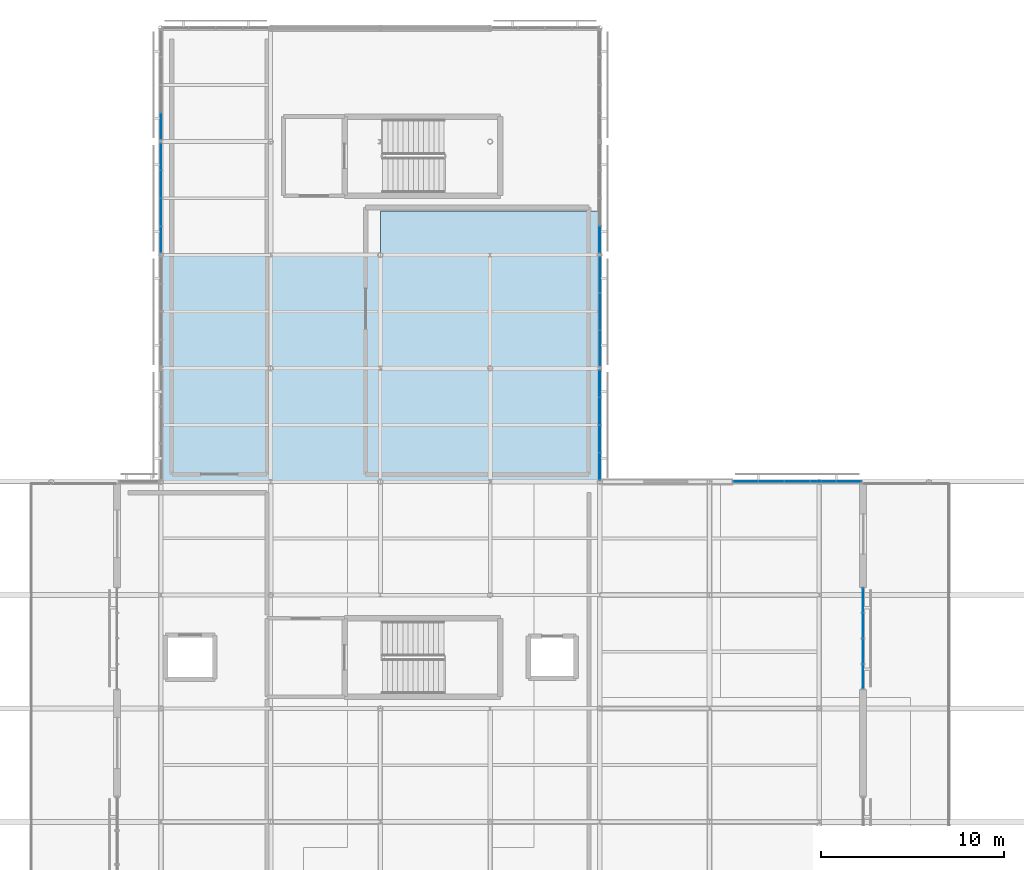
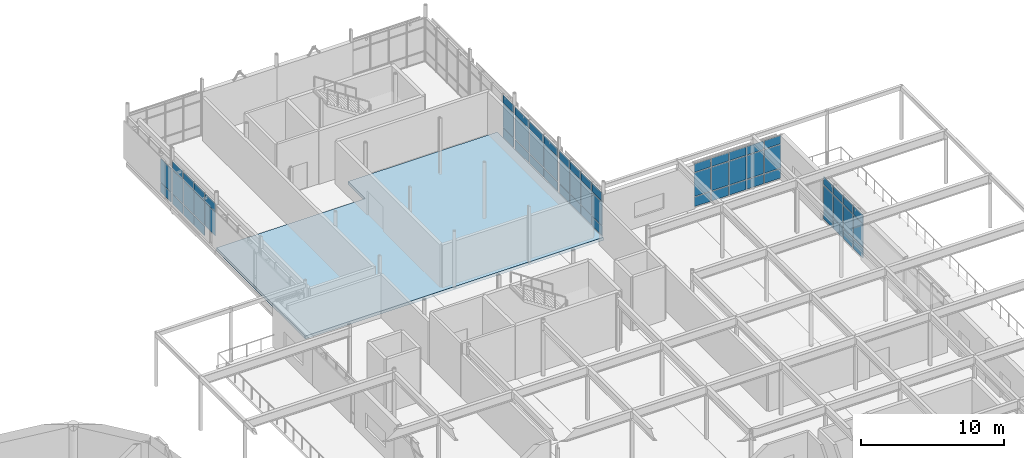
# One storey, part 38 of 48: 64 plates, 1 slab, 7 elements without a shape of their own.
"""IFC4 building model written with IfcOpenShell, lengths in metres."""

from ifc_helpers import new_model, si_unit, direction, frame, origin, origin_2d, place, context, subcontext, project, spatial, polyline, rectangle, outline, extrude, material, layer, layer_set, type_object, element, aggregate, save


model = new_model("IFC4")

# Units and contexts
model_context = context("Model", 3, precision=1e-05, world=origin(), true_north=direction((0.0, 1.0)))
body_context = subcontext(model_context, "Body", "Model", "MODEL_VIEW")
ifc_project = project(units=[si_unit("LENGTHUNIT", "METRE"), si_unit("AREAUNIT", "SQUARE_METRE"), si_unit("VOLUMEUNIT", "CUBIC_METRE"), si_unit("PLANEANGLEUNIT", "RADIAN"), si_unit("MASSUNIT", "GRAM", prefix="KILO")], contexts=[model_context])

# Site, building, storey
site_placement = place(None, origin())
site = spatial("IfcSite", under=ifc_project, at=site_placement, CompositionType="ELEMENT")
building_placement = place(site_placement, origin())
building = spatial("IfcBuilding", under=site, at=building_placement, Name="Mirzam Square Science Centre", CompositionType="ELEMENT")
storey_placement = place(building_placement, frame((0.0, 0.0, 20.39990234375)))
storey = spatial("IfcBuildingStorey", under=building, at=storey_placement, Name="L04", CompositionType="ELEMENT", Elevation=20.39990234375)

# Curtain wall, plates
ifc_material_1 = material(Name="Anodised Aluminium and Low-E Solar Glass", Category="aluminium")
ifc_layer_1 = layer(ifc_material_1, 0.159912109375)
ifc_layer_set_1 = layer_set([ifc_layer_1], Name="CW-COURT-B")
curtain_wall_type_1 = type_object("IfcCurtainWallType", Name="CW-COURT-B", PredefinedType="USERDEFINED", material=ifc_layer_set_1)
curtain_wall_1_placement = place(storey_placement, origin())
curtain_wall_1 = element("IfcCurtainWall", 1, at=curtain_wall_1_placement, inside=storey, type_object=curtain_wall_type_1, Name="L04 unitised curtain wall 152", ObjectType="UNITISED CURTAIN WALL", PredefinedType="USERDEFINED")
ifc_material_2 = material(Name="Ceramic-Fritted Courtyard Solar Glass", Category="glass")
ifc_layer_2 = layer(ifc_material_2, 0.02392578125)
ifc_layer_set_2 = layer_set([ifc_layer_2], Name="CWP-GLZ-24")
plate_type_1 = type_object("IfcPlateType", Name="CWP-GLZ-24", PredefinedType="CURTAIN_PANEL", material=ifc_layer_set_2)
plate_1_placement = place(storey_placement, frame((151.62109375, 86.800048828125, 0.06005859375), z_axis=(0.0, 0.0, 1.0), x_axis=(-1.0, 0.0, 0.0)))
plate_1 = element("IfcPlate", 2, at=plate_1_placement, type_object=plate_type_1, Name="CW-04 panel 1.1", PredefinedType="CURTAIN_PANEL", context=body_context, shape_type="SweptSolid", body=[
    extrude(rectangle(XDim=1.327880859375, YDim=0.02392578125, at=origin_2d()), origin(), (0.0, 0.0, 1.0), 0.81005859375),
])
plate_2_placement = place(storey_placement, frame((151.62109375, 86.800048828125, 0.93017578125), z_axis=(0.0, 0.0, 1.0), x_axis=(-1.0, 0.0, 0.0)))
plate_2 = element("IfcPlate", 3, at=plate_2_placement, type_object=plate_type_1, Name="CW-04 panel 1.2", PredefinedType="CURTAIN_PANEL", context=body_context, shape_type="SweptSolid", body=[
    extrude(rectangle(XDim=1.327880859375, YDim=0.02392578125, at=origin_2d()), origin(), (0.0, 0.0, 1.0), 2.0),
])
plate_3_placement = place(storey_placement, frame((151.62109375, 86.800048828125, 2.990234375), z_axis=(0.0, 0.0, 1.0), x_axis=(-1.0, 0.0, 0.0)))
plate_3 = element("IfcPlate", 4, at=plate_3_placement, type_object=plate_type_1, Name="CW-04 panel 1.3", PredefinedType="CURTAIN_PANEL", context=body_context, shape_type="SweptSolid", body=[
    extrude(rectangle(XDim=1.327880859375, YDim=0.02392578125, at=origin_2d()), origin(), (0.0, 0.0, 1.0), 0.7099609375),
])
plate_4_placement = place(storey_placement, frame((150.218017578125, 86.800048828125, 0.06005859375), z_axis=(0.0, 0.0, 1.0), x_axis=(-1.0, 0.0, 0.0)))
plate_4 = element("IfcPlate", 5, at=plate_4_placement, type_object=plate_type_1, Name="CW-04 panel 2.1", PredefinedType="CURTAIN_PANEL", context=body_context, shape_type="SweptSolid", body=[
    extrude(rectangle(XDim=1.35791015625, YDim=0.02392578125, at=origin_2d()), origin(), (0.0, 0.0, 1.0), 0.81005859375),
])
plate_5_placement = place(storey_placement, frame((150.218017578125, 86.800048828125, 0.93017578125), z_axis=(0.0, 0.0, 1.0), x_axis=(-1.0, 0.0, 0.0)))
plate_5 = element("IfcPlate", 6, at=plate_5_placement, type_object=plate_type_1, Name="CW-04 panel 2.2", PredefinedType="CURTAIN_PANEL", context=body_context, shape_type="SweptSolid", body=[
    extrude(rectangle(XDim=1.35791015625, YDim=0.02392578125, at=origin_2d()), origin(), (0.0, 0.0, 1.0), 2.0),
])
plate_6_placement = place(storey_placement, frame((150.218017578125, 86.800048828125, 2.990234375), z_axis=(0.0, 0.0, 1.0), x_axis=(-1.0, 0.0, 0.0)))
plate_6 = element("IfcPlate", 7, at=plate_6_placement, type_object=plate_type_1, Name="CW-04 panel 2.3", PredefinedType="CURTAIN_PANEL", context=body_context, shape_type="SweptSolid", body=[
    extrude(rectangle(XDim=1.35791015625, YDim=0.02392578125, at=origin_2d()), origin(), (0.0, 0.0, 1.0), 0.7099609375),
])
plate_7_placement = place(storey_placement, frame((148.800048828125, 86.800048828125, 0.06005859375), z_axis=(0.0, 0.0, 1.0), x_axis=(-1.0, 0.0, 0.0)))
plate_7 = element("IfcPlate", 8, at=plate_7_placement, type_object=plate_type_1, Name="CW-04 panel 3.1", PredefinedType="CURTAIN_PANEL", context=body_context, shape_type="SweptSolid", body=[
    extrude(rectangle(XDim=1.35791015625, YDim=0.02392578125, at=origin_2d()), origin(), (0.0, 0.0, 1.0), 0.81005859375),
])
plate_8_placement = place(storey_placement, frame((148.800048828125, 86.800048828125, 0.93017578125), z_axis=(0.0, 0.0, 1.0), x_axis=(-1.0, 0.0, 0.0)))
plate_8 = element("IfcPlate", 9, at=plate_8_placement, type_object=plate_type_1, Name="CW-04 panel 3.2", PredefinedType="CURTAIN_PANEL", context=body_context, shape_type="SweptSolid", body=[
    extrude(rectangle(XDim=1.35791015625, YDim=0.02392578125, at=origin_2d()), origin(), (0.0, 0.0, 1.0), 2.0),
])
plate_9_placement = place(storey_placement, frame((148.800048828125, 86.800048828125, 2.990234375), z_axis=(0.0, 0.0, 1.0), x_axis=(-1.0, 0.0, 0.0)))
plate_9 = element("IfcPlate", 10, at=plate_9_placement, type_object=plate_type_1, Name="CW-04 panel 3.3", PredefinedType="CURTAIN_PANEL", context=body_context, shape_type="SweptSolid", body=[
    extrude(rectangle(XDim=1.35791015625, YDim=0.02392578125, at=origin_2d()), origin(), (0.0, 0.0, 1.0), 0.7099609375),
])
plate_10_placement = place(storey_placement, frame((147.382080078125, 86.800048828125, 0.06005859375), z_axis=(0.0, 0.0, 1.0), x_axis=(-1.0, 0.0, 0.0)))
plate_10 = element("IfcPlate", 11, at=plate_10_placement, type_object=plate_type_1, Name="CW-04 panel 4.1", PredefinedType="CURTAIN_PANEL", context=body_context, shape_type="SweptSolid", body=[
    extrude(rectangle(XDim=1.35791015625, YDim=0.02392578125, at=origin_2d()), origin(), (0.0, 0.0, 1.0), 0.81005859375),
])
plate_11_placement = place(storey_placement, frame((147.382080078125, 86.800048828125, 0.93017578125), z_axis=(0.0, 0.0, 1.0), x_axis=(-1.0, 0.0, 0.0)))
plate_11 = element("IfcPlate", 12, at=plate_11_placement, type_object=plate_type_1, Name="CW-04 panel 4.2", PredefinedType="CURTAIN_PANEL", context=body_context, shape_type="SweptSolid", body=[
    extrude(rectangle(XDim=1.35791015625, YDim=0.02392578125, at=origin_2d()), origin(), (0.0, 0.0, 1.0), 2.0),
])
plate_12_placement = place(storey_placement, frame((147.382080078125, 86.800048828125, 2.990234375), z_axis=(0.0, 0.0, 1.0), x_axis=(-1.0, 0.0, 0.0)))
plate_12 = element("IfcPlate", 13, at=plate_12_placement, type_object=plate_type_1, Name="CW-04 panel 4.3", PredefinedType="CURTAIN_PANEL", context=body_context, shape_type="SweptSolid", body=[
    extrude(rectangle(XDim=1.35791015625, YDim=0.02392578125, at=origin_2d()), origin(), (0.0, 0.0, 1.0), 0.7099609375),
])
plate_13_placement = place(storey_placement, frame((145.97900390625, 86.800048828125, 0.06005859375), z_axis=(0.0, 0.0, 1.0), x_axis=(-1.0, 0.0, 0.0)))
plate_13 = element("IfcPlate", 14, at=plate_13_placement, type_object=plate_type_1, Name="CW-04 panel 5.1", PredefinedType="CURTAIN_PANEL", context=body_context, shape_type="SweptSolid", body=[
    extrude(rectangle(XDim=1.327880859375, YDim=0.02392578125, at=origin_2d()), origin(), (0.0, 0.0, 1.0), 0.81005859375),
])
plate_14_placement = place(storey_placement, frame((145.97900390625, 86.800048828125, 0.93017578125), z_axis=(0.0, 0.0, 1.0), x_axis=(-1.0, 0.0, 0.0)))
plate_14 = element("IfcPlate", 15, at=plate_14_placement, type_object=plate_type_1, Name="CW-04 panel 5.2", PredefinedType="CURTAIN_PANEL", context=body_context, shape_type="SweptSolid", body=[
    extrude(rectangle(XDim=1.327880859375, YDim=0.02392578125, at=origin_2d()), origin(), (0.0, 0.0, 1.0), 2.0),
])
plate_15_placement = place(storey_placement, frame((145.97900390625, 86.800048828125, 2.990234375), z_axis=(0.0, 0.0, 1.0), x_axis=(-1.0, 0.0, 0.0)))
plate_15 = element("IfcPlate", 16, at=plate_15_placement, type_object=plate_type_1, Name="CW-04 panel 5.3", PredefinedType="CURTAIN_PANEL", context=body_context, shape_type="SweptSolid", body=[
    extrude(rectangle(XDim=1.327880859375, YDim=0.02392578125, at=origin_2d()), origin(), (0.0, 0.0, 1.0), 0.7099609375),
])
aggregate(curtain_wall_1, [plate_1, plate_2, plate_3, plate_4, plate_5, plate_6, plate_7, plate_8, plate_9, plate_10, plate_11, plate_12, plate_13, plate_14, plate_15])

curtain_wall_2_placement = place(storey_placement, origin())
curtain_wall_2 = element("IfcCurtainWall", 17, at=curtain_wall_2_placement, inside=storey, type_object=curtain_wall_type_1, Name="L04 unitised curtain wall 162", ObjectType="UNITISED CURTAIN WALL", PredefinedType="USERDEFINED")
plate_16_placement = place(storey_placement, frame((114.0, 104.56884765625, 0.06005859375), z_axis=(0.0, 0.0, 1.0), x_axis=(0.0, -1.0, 0.0)))
plate_16 = element("IfcPlate", 18, at=plate_16_placement, type_object=plate_type_1, Name="CW-04 panel 1.1", PredefinedType="CURTAIN_PANEL", context=body_context, shape_type="SweptSolid", body=[
    extrude(rectangle(XDim=1.4326171875, YDim=0.02392578125, at=origin_2d()), origin(), (0.0, 0.0, 1.0), 0.81005859375),
])
plate_17_placement = place(storey_placement, frame((114.0, 104.56884765625, 0.93017578125), z_axis=(0.0, 0.0, 1.0), x_axis=(0.0, -1.0, 0.0)))
plate_17 = element("IfcPlate", 19, at=plate_17_placement, type_object=plate_type_1, Name="CW-04 panel 1.2", PredefinedType="CURTAIN_PANEL", context=body_context, shape_type="SweptSolid", body=[
    extrude(rectangle(XDim=1.4326171875, YDim=0.02392578125, at=origin_2d()), origin(), (0.0, 0.0, 1.0), 2.0),
])
plate_18_placement = place(storey_placement, frame((114.0, 104.56884765625, 2.990234375), z_axis=(0.0, 0.0, 1.0), x_axis=(0.0, -1.0, 0.0)))
plate_18 = element("IfcPlate", 20, at=plate_18_placement, type_object=plate_type_1, Name="CW-04 panel 1.3", PredefinedType="CURTAIN_PANEL", context=body_context, shape_type="SweptSolid", body=[
    extrude(rectangle(XDim=1.4326171875, YDim=0.02392578125, at=origin_2d()), origin(), (0.0, 0.0, 1.0), 0.7099609375),
])
plate_19_placement = place(storey_placement, frame((114.0, 103.061279296875, 0.06005859375), z_axis=(0.0, 0.0, 1.0), x_axis=(0.0, -1.0, 0.0)))
plate_19 = element("IfcPlate", 21, at=plate_19_placement, type_object=plate_type_1, Name="CW-04 panel 2.1", PredefinedType="CURTAIN_PANEL", context=body_context, shape_type="SweptSolid", body=[
    extrude(rectangle(XDim=1.46240234375, YDim=0.02392578125, at=origin_2d()), origin(), (0.0, 0.0, 1.0), 0.81005859375),
])
plate_20_placement = place(storey_placement, frame((114.0, 103.061279296875, 0.93017578125), z_axis=(0.0, 0.0, 1.0), x_axis=(0.0, -1.0, 0.0)))
plate_20 = element("IfcPlate", 22, at=plate_20_placement, type_object=plate_type_1, Name="CW-04 panel 2.2", PredefinedType="CURTAIN_PANEL", context=body_context, shape_type="SweptSolid", body=[
    extrude(rectangle(XDim=1.46240234375, YDim=0.02392578125, at=origin_2d()), origin(), (0.0, 0.0, 1.0), 2.0),
])
plate_21_placement = place(storey_placement, frame((114.0, 103.061279296875, 2.990234375), z_axis=(0.0, 0.0, 1.0), x_axis=(0.0, -1.0, 0.0)))
plate_21 = element("IfcPlate", 23, at=plate_21_placement, type_object=plate_type_1, Name="CW-04 panel 2.3", PredefinedType="CURTAIN_PANEL", context=body_context, shape_type="SweptSolid", body=[
    extrude(rectangle(XDim=1.46240234375, YDim=0.02392578125, at=origin_2d()), origin(), (0.0, 0.0, 1.0), 0.7099609375),
])
plate_22_placement = place(storey_placement, frame((114.0, 101.538818359375, 0.06005859375), z_axis=(0.0, 0.0, 1.0), x_axis=(0.0, -1.0, 0.0)))
plate_22 = element("IfcPlate", 24, at=plate_22_placement, type_object=plate_type_1, Name="CW-04 panel 3.1", PredefinedType="CURTAIN_PANEL", context=body_context, shape_type="SweptSolid", body=[
    extrude(rectangle(XDim=1.46240234375, YDim=0.02392578125, at=origin_2d()), origin(), (0.0, 0.0, 1.0), 0.81005859375),
])
plate_23_placement = place(storey_placement, frame((114.0, 101.538818359375, 0.93017578125), z_axis=(0.0, 0.0, 1.0), x_axis=(0.0, -1.0, 0.0)))
plate_23 = element("IfcPlate", 25, at=plate_23_placement, type_object=plate_type_1, Name="CW-04 panel 3.2", PredefinedType="CURTAIN_PANEL", context=body_context, shape_type="SweptSolid", body=[
    extrude(rectangle(XDim=1.46240234375, YDim=0.02392578125, at=origin_2d()), origin(), (0.0, 0.0, 1.0), 2.0),
])
plate_24_placement = place(storey_placement, frame((114.0, 101.538818359375, 2.990234375), z_axis=(0.0, 0.0, 1.0), x_axis=(0.0, -1.0, 0.0)))
plate_24 = element("IfcPlate", 26, at=plate_24_placement, type_object=plate_type_1, Name="CW-04 panel 3.3", PredefinedType="CURTAIN_PANEL", context=body_context, shape_type="SweptSolid", body=[
    extrude(rectangle(XDim=1.46240234375, YDim=0.02392578125, at=origin_2d()), origin(), (0.0, 0.0, 1.0), 0.7099609375),
])
plate_25_placement = place(storey_placement, frame((114.0, 100.03125, 0.93017578125), z_axis=(0.0, 0.0, 1.0), x_axis=(0.0, -1.0, 0.0)))
plate_25 = element("IfcPlate", 27, at=plate_25_placement, type_object=plate_type_1, Name="CW-04 panel 4.2", PredefinedType="CURTAIN_PANEL", context=body_context, shape_type="SweptSolid", body=[
    extrude(rectangle(XDim=1.4326171875, YDim=0.02392578125, at=origin_2d()), origin(), (0.0, 0.0, 1.0), 2.0),
])
plate_26_placement = place(storey_placement, frame((114.0, 100.03125, 2.990234375), z_axis=(0.0, 0.0, 1.0), x_axis=(0.0, -1.0, 0.0)))
plate_26 = element("IfcPlate", 28, at=plate_26_placement, type_object=plate_type_1, Name="CW-04 panel 4.3", PredefinedType="CURTAIN_PANEL", context=body_context, shape_type="SweptSolid", body=[
    extrude(rectangle(XDim=1.4326171875, YDim=0.02392578125, at=origin_2d()), origin(), (0.0, 0.0, 1.0), 0.7099609375),
])
aggregate(curtain_wall_2, [plate_16, plate_17, plate_18, plate_19, plate_20, plate_21, plate_22, plate_23, plate_24, plate_25, plate_26])

ifc_layer_3 = layer(ifc_material_1, 0.239990234375)
ifc_layer_set_3 = layer_set([ifc_layer_3], Name="CW-EAST-B")
curtain_wall_type_2 = type_object("IfcCurtainWallType", Name="CW-EAST-B", PredefinedType="USERDEFINED", material=ifc_layer_set_3)
curtain_wall_3_placement = place(storey_placement, origin())
curtain_wall_3 = element("IfcCurtainWall", 29, at=curtain_wall_3_placement, inside=storey, type_object=curtain_wall_type_2, Name="L04 unitised curtain wall 161", ObjectType="UNITISED CURTAIN WALL", PredefinedType="USERDEFINED")
ifc_material_3 = material(Name="Double-Silver Low-E Insulated Solar Glass", Category="glass")
ifc_layer_4 = layer(ifc_material_3, 0.028076171875)
ifc_layer_set_4 = layer_set([ifc_layer_4], Name="CWP-GLZ-28")
plate_type_2 = type_object("IfcPlateType", Name="CWP-GLZ-28", PredefinedType="CURTAIN_PANEL", material=ifc_layer_set_4)
plate_27_placement = place(storey_placement, frame((138.0, 94.0888671875, 0.074951171875), z_axis=(0.0, 0.0, 1.0), x_axis=(0.0, 1.0, 0.0)))
plate_27 = element("IfcPlate", 30, at=plate_27_placement, type_object=plate_type_2, Name="CW-06 panel 1.1", PredefinedType="CURTAIN_PANEL", context=body_context, shape_type="SweptSolid", body=[
    extrude(rectangle(XDim=1.91748046875, YDim=0.028076171875, at=origin_2d()), origin(), (0.0, 0.0, 1.0), 0.78759765625),
])
plate_28_placement = place(storey_placement, frame((138.0, 94.0888671875, 0.9375), z_axis=(0.0, 0.0, 1.0), x_axis=(0.0, 1.0, 0.0)))
plate_28 = element("IfcPlate", 31, at=plate_28_placement, type_object=plate_type_2, Name="CW-06 panel 1.2", PredefinedType="CURTAIN_PANEL", context=body_context, shape_type="SweptSolid", body=[
    extrude(rectangle(XDim=1.91748046875, YDim=0.028076171875, at=origin_2d()), origin(), (0.0, 0.0, 1.0), 1.985107421875),
])
plate_29_placement = place(storey_placement, frame((138.0, 94.0888671875, 2.99755859375), z_axis=(0.0, 0.0, 1.0), x_axis=(0.0, 1.0, 0.0)))
plate_29 = element("IfcPlate", 32, at=plate_29_placement, type_object=plate_type_2, Name="CW-06 panel 1.3", PredefinedType="CURTAIN_PANEL", context=body_context, shape_type="SweptSolid", body=[
    extrude(rectangle(XDim=1.91748046875, YDim=0.028076171875, at=origin_2d()), origin(), (0.0, 0.0, 1.0), 0.6875),
])
plate_30_placement = place(storey_placement, frame((138.0, 96.10009765625, 0.074951171875), z_axis=(0.0, 0.0, 1.0), x_axis=(0.0, 1.0, 0.0)))
plate_30 = element("IfcPlate", 33, at=plate_30_placement, type_object=plate_type_2, Name="CW-06 panel 2.1", PredefinedType="CURTAIN_PANEL", context=body_context, shape_type="SweptSolid", body=[
    extrude(rectangle(XDim=1.955078125, YDim=0.028076171875, at=origin_2d()), origin(), (0.0, 0.0, 1.0), 0.78759765625),
])
plate_31_placement = place(storey_placement, frame((138.0, 96.10009765625, 0.9375), z_axis=(0.0, 0.0, 1.0), x_axis=(0.0, 1.0, 0.0)))
plate_31 = element("IfcPlate", 34, at=plate_31_placement, type_object=plate_type_2, Name="CW-06 panel 2.2", PredefinedType="CURTAIN_PANEL", context=body_context, shape_type="SweptSolid", body=[
    extrude(rectangle(XDim=1.955078125, YDim=0.028076171875, at=origin_2d()), origin(), (0.0, 0.0, 1.0), 1.985107421875),
])
plate_32_placement = place(storey_placement, frame((138.0, 96.10009765625, 2.99755859375), z_axis=(0.0, 0.0, 1.0), x_axis=(0.0, 1.0, 0.0)))
plate_32 = element("IfcPlate", 35, at=plate_32_placement, type_object=plate_type_2, Name="CW-06 panel 2.3", PredefinedType="CURTAIN_PANEL", context=body_context, shape_type="SweptSolid", body=[
    extrude(rectangle(XDim=1.955078125, YDim=0.028076171875, at=origin_2d()), origin(), (0.0, 0.0, 1.0), 0.6875),
])
plate_33_placement = place(storey_placement, frame((138.0, 98.111328125, 0.074951171875), z_axis=(0.0, 0.0, 1.0), x_axis=(0.0, 1.0, 0.0)))
plate_33 = element("IfcPlate", 36, at=plate_33_placement, type_object=plate_type_2, Name="CW-06 panel 3.1", PredefinedType="CURTAIN_PANEL", context=body_context, shape_type="SweptSolid", body=[
    extrude(rectangle(XDim=1.91748046875, YDim=0.028076171875, at=origin_2d()), origin(), (0.0, 0.0, 1.0), 0.78759765625),
])
plate_34_placement = place(storey_placement, frame((138.0, 98.111328125, 0.9375), z_axis=(0.0, 0.0, 1.0), x_axis=(0.0, 1.0, 0.0)))
plate_34 = element("IfcPlate", 37, at=plate_34_placement, type_object=plate_type_2, Name="CW-06 panel 3.2", PredefinedType="CURTAIN_PANEL", context=body_context, shape_type="SweptSolid", body=[
    extrude(rectangle(XDim=1.91748046875, YDim=0.028076171875, at=origin_2d()), origin(), (0.0, 0.0, 1.0), 1.985107421875),
])
plate_35_placement = place(storey_placement, frame((138.0, 98.111328125, 2.99755859375), z_axis=(0.0, 0.0, 1.0), x_axis=(0.0, 1.0, 0.0)))
plate_35 = element("IfcPlate", 38, at=plate_35_placement, type_object=plate_type_2, Name="CW-06 panel 3.3", PredefinedType="CURTAIN_PANEL", context=body_context, shape_type="SweptSolid", body=[
    extrude(rectangle(XDim=1.91748046875, YDim=0.028076171875, at=origin_2d()), origin(), (0.0, 0.0, 1.0), 0.6875),
])
aggregate(curtain_wall_3, [plate_27, plate_28, plate_29, plate_30, plate_31, plate_32, plate_33, plate_34, plate_35])

ifc_layer_5 = layer(ifc_material_1, 0.219970703125)
ifc_layer_set_5 = layer_set([ifc_layer_5], Name="CW-OBS-A")
curtain_wall_type_3 = type_object("IfcCurtainWallType", Name="CW-OBS-A", PredefinedType="USERDEFINED", material=ifc_layer_set_5)
curtain_wall_4_placement = place(storey_placement, origin())
curtain_wall_4 = element("IfcCurtainWall", 39, at=curtain_wall_4_placement, inside=storey, type_object=curtain_wall_type_3, Name="L04 unitised curtain wall 163", ObjectType="UNITISED CURTAIN WALL", PredefinedType="USERDEFINED")
ifc_material_4 = material(Name="Triple-Glazed Acoustic Low-E Solar Glass", Category="glass")
ifc_layer_6 = layer(ifc_material_4, 0.031982421875)
ifc_layer_set_6 = layer_set([ifc_layer_6], Name="CWP-GLZ-32")
plate_type_3 = type_object("IfcPlateType", Name="CWP-GLZ-32", PredefinedType="CURTAIN_PANEL", material=ifc_layer_set_6)
plate_36_placement = place(storey_placement, frame((138.0, 100.03125, 0.06005859375), z_axis=(0.0, 0.0, 1.0), x_axis=(0.0, 1.0, 0.0)))
plate_36 = element("IfcPlate", 40, at=plate_36_placement, type_object=plate_type_3, Name="CW-07 panel 1.1", PredefinedType="CURTAIN_PANEL", context=body_context, shape_type="SweptSolid", body=[
    extrude(rectangle(XDim=1.4326171875, YDim=0.031982421875, at=origin_2d()), origin(), (0.0, 0.0, 1.0), 0.81005859375),
])
plate_37_placement = place(storey_placement, frame((138.0, 100.03125, 0.93017578125), z_axis=(0.0, 0.0, 1.0), x_axis=(0.0, 1.0, 0.0)))
plate_37 = element("IfcPlate", 41, at=plate_37_placement, type_object=plate_type_3, Name="CW-07 panel 1.2", PredefinedType="CURTAIN_PANEL", context=body_context, shape_type="SweptSolid", body=[
    extrude(rectangle(XDim=1.4326171875, YDim=0.031982421875, at=origin_2d()), origin(), (0.0, 0.0, 1.0), 2.0),
])
plate_38_placement = place(storey_placement, frame((138.0, 100.03125, 2.990234375), z_axis=(0.0, 0.0, 1.0), x_axis=(0.0, 1.0, 0.0)))
plate_38 = element("IfcPlate", 42, at=plate_38_placement, type_object=plate_type_3, Name="CW-07 panel 1.3", PredefinedType="CURTAIN_PANEL", context=body_context, shape_type="SweptSolid", body=[
    extrude(rectangle(XDim=1.4326171875, YDim=0.031982421875, at=origin_2d()), origin(), (0.0, 0.0, 1.0), 0.7099609375),
])
aggregate(curtain_wall_4, [plate_36, plate_37, plate_38])

ifc_layer_7 = layer(ifc_material_1, 0.179931640625)
ifc_layer_set_7 = layer_set([ifc_layer_7], Name="CW-LINK-A")
curtain_wall_type_4 = type_object("IfcCurtainWallType", Name="CW-LINK-A", PredefinedType="USERDEFINED", material=ifc_layer_set_7)
curtain_wall_5_placement = place(storey_placement, origin())
curtain_wall_5 = element("IfcCurtainWall", 43, at=curtain_wall_5_placement, inside=storey, type_object=curtain_wall_type_4, Name="L04 unitised curtain wall 151", ObjectType="UNITISED CURTAIN WALL", PredefinedType="USERDEFINED")
ifc_material_5 = material(Name="Laminated Low-Iron Observatory Solar Glass", Category="glass")
ifc_layer_8 = layer(ifc_material_5, 0.035888671875)
ifc_layer_set_8 = layer_set([ifc_layer_8], Name="CWP-GLZ-36")
plate_type_4 = type_object("IfcPlateType", Name="CWP-GLZ-36", PredefinedType="CURTAIN_PANEL", material=ifc_layer_set_8)
plate_39_placement = place(storey_placement, frame((152.39990234375, 76.14306640625, 0.06494140625), z_axis=(0.0, 0.0, 1.0), x_axis=(0.0, 1.0, 0.0)))
plate_39 = element("IfcPlate", 44, at=plate_39_placement, type_object=plate_type_4, Name="CW-08 panel 1.1", PredefinedType="CURTAIN_PANEL", context=body_context, shape_type="SweptSolid", body=[
    extrude(rectangle(XDim=1.303466796875, YDim=0.035888671875, at=origin_2d()), origin(), (0.0, 0.0, 1.0), 0.802490234375),
])
plate_40_placement = place(storey_placement, frame((152.39990234375, 76.14306640625, 0.9326171875), z_axis=(0.0, 0.0, 1.0), x_axis=(0.0, 1.0, 0.0)))
plate_40 = element("IfcPlate", 45, at=plate_40_placement, type_object=plate_type_4, Name="CW-08 panel 1.2", PredefinedType="CURTAIN_PANEL", context=body_context, shape_type="SweptSolid", body=[
    extrude(rectangle(XDim=1.303466796875, YDim=0.035888671875, at=origin_2d()), origin(), (0.0, 0.0, 1.0), 1.9951171875),
])
plate_41_placement = place(storey_placement, frame((152.39990234375, 76.14306640625, 2.99267578125), z_axis=(0.0, 0.0, 1.0), x_axis=(0.0, 1.0, 0.0)))
plate_41 = element("IfcPlate", 46, at=plate_41_placement, type_object=plate_type_4, Name="CW-08 panel 1.3", PredefinedType="CURTAIN_PANEL", context=body_context, shape_type="SweptSolid", body=[
    extrude(rectangle(XDim=1.303466796875, YDim=0.035888671875, at=origin_2d()), origin(), (0.0, 0.0, 1.0), 0.702392578125),
])
plate_42_placement = place(storey_placement, frame((152.39990234375, 77.528076171875, 0.06494140625), z_axis=(0.0, 0.0, 1.0), x_axis=(0.0, 1.0, 0.0)))
plate_42 = element("IfcPlate", 47, at=plate_42_placement, type_object=plate_type_4, Name="CW-08 panel 2.1", PredefinedType="CURTAIN_PANEL", context=body_context, shape_type="SweptSolid", body=[
    extrude(rectangle(XDim=1.336181640625, YDim=0.035888671875, at=origin_2d()), origin(), (0.0, 0.0, 1.0), 0.802490234375),
])
plate_43_placement = place(storey_placement, frame((152.39990234375, 77.528076171875, 0.9326171875), z_axis=(0.0, 0.0, 1.0), x_axis=(0.0, 1.0, 0.0)))
plate_43 = element("IfcPlate", 48, at=plate_43_placement, type_object=plate_type_4, Name="CW-08 panel 2.2", PredefinedType="CURTAIN_PANEL", context=body_context, shape_type="SweptSolid", body=[
    extrude(rectangle(XDim=1.336181640625, YDim=0.035888671875, at=origin_2d()), origin(), (0.0, 0.0, 1.0), 1.9951171875),
])
plate_44_placement = place(storey_placement, frame((152.39990234375, 77.528076171875, 2.99267578125), z_axis=(0.0, 0.0, 1.0), x_axis=(0.0, 1.0, 0.0)))
plate_44 = element("IfcPlate", 49, at=plate_44_placement, type_object=plate_type_4, Name="CW-08 panel 2.3", PredefinedType="CURTAIN_PANEL", context=body_context, shape_type="SweptSolid", body=[
    extrude(rectangle(XDim=1.336181640625, YDim=0.035888671875, at=origin_2d()), origin(), (0.0, 0.0, 1.0), 0.702392578125),
])
plate_45_placement = place(storey_placement, frame((152.39990234375, 78.92919921875, 0.06494140625), z_axis=(0.0, 0.0, 1.0), x_axis=(0.0, 1.0, 0.0)))
plate_45 = element("IfcPlate", 50, at=plate_45_placement, type_object=plate_type_4, Name="CW-08 panel 3.1", PredefinedType="CURTAIN_PANEL", context=body_context, shape_type="SweptSolid", body=[
    extrude(rectangle(XDim=1.336181640625, YDim=0.035888671875, at=origin_2d()), origin(), (0.0, 0.0, 1.0), 0.802490234375),
])
plate_46_placement = place(storey_placement, frame((152.39990234375, 78.92919921875, 0.9326171875), z_axis=(0.0, 0.0, 1.0), x_axis=(0.0, 1.0, 0.0)))
plate_46 = element("IfcPlate", 51, at=plate_46_placement, type_object=plate_type_4, Name="CW-08 panel 3.2", PredefinedType="CURTAIN_PANEL", context=body_context, shape_type="SweptSolid", body=[
    extrude(rectangle(XDim=1.336181640625, YDim=0.035888671875, at=origin_2d()), origin(), (0.0, 0.0, 1.0), 1.9951171875),
])
plate_47_placement = place(storey_placement, frame((152.39990234375, 78.92919921875, 2.99267578125), z_axis=(0.0, 0.0, 1.0), x_axis=(0.0, 1.0, 0.0)))
plate_47 = element("IfcPlate", 52, at=plate_47_placement, type_object=plate_type_4, Name="CW-08 panel 3.3", PredefinedType="CURTAIN_PANEL", context=body_context, shape_type="SweptSolid", body=[
    extrude(rectangle(XDim=1.336181640625, YDim=0.035888671875, at=origin_2d()), origin(), (0.0, 0.0, 1.0), 0.702392578125),
])
plate_48_placement = place(storey_placement, frame((152.39990234375, 80.31396484375, 0.06494140625), z_axis=(0.0, 0.0, 1.0), x_axis=(0.0, 1.0, 0.0)))
plate_48 = element("IfcPlate", 53, at=plate_48_placement, type_object=plate_type_4, Name="CW-08 panel 4.1", PredefinedType="CURTAIN_PANEL", context=body_context, shape_type="SweptSolid", body=[
    extrude(rectangle(XDim=1.303466796875, YDim=0.035888671875, at=origin_2d()), origin(), (0.0, 0.0, 1.0), 0.802490234375),
])
plate_49_placement = place(storey_placement, frame((152.39990234375, 80.31396484375, 0.9326171875), z_axis=(0.0, 0.0, 1.0), x_axis=(0.0, 1.0, 0.0)))
plate_49 = element("IfcPlate", 54, at=plate_49_placement, type_object=plate_type_4, Name="CW-08 panel 4.2", PredefinedType="CURTAIN_PANEL", context=body_context, shape_type="SweptSolid", body=[
    extrude(rectangle(XDim=1.303466796875, YDim=0.035888671875, at=origin_2d()), origin(), (0.0, 0.0, 1.0), 1.9951171875),
])
plate_50_placement = place(storey_placement, frame((152.39990234375, 80.31396484375, 2.99267578125), z_axis=(0.0, 0.0, 1.0), x_axis=(0.0, 1.0, 0.0)))
plate_50 = element("IfcPlate", 55, at=plate_50_placement, type_object=plate_type_4, Name="CW-08 panel 4.3", PredefinedType="CURTAIN_PANEL", context=body_context, shape_type="SweptSolid", body=[
    extrude(rectangle(XDim=1.303466796875, YDim=0.035888671875, at=origin_2d()), origin(), (0.0, 0.0, 1.0), 0.702392578125),
])
aggregate(curtain_wall_5, [plate_39, plate_40, plate_41, plate_42, plate_43, plate_44, plate_45, plate_46, plate_47, plate_48, plate_49, plate_50])

ifc_layer_9 = layer(ifc_material_1, 0.199951171875)
ifc_layer_set_9 = layer_set([ifc_layer_9], Name="CW-EAST-A")
curtain_wall_type_5 = type_object("IfcCurtainWallType", Name="CW-EAST-A", PredefinedType="USERDEFINED", material=ifc_layer_set_9)
curtain_wall_6_placement = place(storey_placement, origin())
curtain_wall_6 = element("IfcCurtainWall", 56, at=curtain_wall_6_placement, inside=storey, type_object=curtain_wall_type_5, Name="L04 unitised curtain wall 159", ObjectType="UNITISED CURTAIN WALL", PredefinedType="USERDEFINED")
ifc_material_6 = material(Name="Acoustic Laminated Solar Spandrel Glass", Category="glass")
ifc_layer_10 = layer(ifc_material_6, 0.0400390625)
ifc_layer_set_10 = layer_set([ifc_layer_10], Name="CWP-GLZ-40")
plate_type_5 = type_object("IfcPlateType", Name="CWP-GLZ-40", PredefinedType="CURTAIN_PANEL", material=ifc_layer_set_10)
plate_51_placement = place(storey_placement, frame((138.0, 87.632568359375, 0.06494140625), z_axis=(0.0, 0.0, 1.0), x_axis=(0.0, 1.0, 0.0)))
plate_51 = element("IfcPlate", 57, at=plate_51_placement, type_object=plate_type_5, Name="CW-05 panel 1.1", PredefinedType="CURTAIN_PANEL", context=body_context, shape_type="SweptSolid", body=[
    extrude(rectangle(XDim=1.425048828125, YDim=0.0400390625, at=origin_2d()), origin(), (0.0, 0.0, 1.0), 0.802490234375),
])
plate_52_placement = place(storey_placement, frame((138.0, 87.632568359375, 0.9326171875), z_axis=(0.0, 0.0, 1.0), x_axis=(0.0, 1.0, 0.0)))
plate_52 = element("IfcPlate", 58, at=plate_52_placement, type_object=plate_type_5, Name="CW-05 panel 1.2", PredefinedType="CURTAIN_PANEL", context=body_context, shape_type="SweptSolid", body=[
    extrude(rectangle(XDim=1.425048828125, YDim=0.0400390625, at=origin_2d()), origin(), (0.0, 0.0, 1.0), 1.9951171875),
])
plate_53_placement = place(storey_placement, frame((138.0, 87.632568359375, 2.99267578125), z_axis=(0.0, 0.0, 1.0), x_axis=(0.0, 1.0, 0.0)))
plate_53 = element("IfcPlate", 59, at=plate_53_placement, type_object=plate_type_5, Name="CW-05 panel 1.3", PredefinedType="CURTAIN_PANEL", context=body_context, shape_type="SweptSolid", body=[
    extrude(rectangle(XDim=1.425048828125, YDim=0.0400390625, at=origin_2d()), origin(), (0.0, 0.0, 1.0), 0.702392578125),
])
plate_54_placement = place(storey_placement, frame((138.0, 89.138671875, 0.06494140625), z_axis=(0.0, 0.0, 1.0), x_axis=(0.0, 1.0, 0.0)))
plate_54 = element("IfcPlate", 60, at=plate_54_placement, type_object=plate_type_5, Name="CW-05 panel 2.1", PredefinedType="CURTAIN_PANEL", context=body_context, shape_type="SweptSolid", body=[
    extrude(rectangle(XDim=1.45751953125, YDim=0.0400390625, at=origin_2d()), origin(), (0.0, 0.0, 1.0), 0.802490234375),
])
plate_55_placement = place(storey_placement, frame((138.0, 89.138671875, 0.9326171875), z_axis=(0.0, 0.0, 1.0), x_axis=(0.0, 1.0, 0.0)))
plate_55 = element("IfcPlate", 61, at=plate_55_placement, type_object=plate_type_5, Name="CW-05 panel 2.2", PredefinedType="CURTAIN_PANEL", context=body_context, shape_type="SweptSolid", body=[
    extrude(rectangle(XDim=1.45751953125, YDim=0.0400390625, at=origin_2d()), origin(), (0.0, 0.0, 1.0), 1.9951171875),
])
plate_56_placement = place(storey_placement, frame((138.0, 89.138671875, 2.99267578125), z_axis=(0.0, 0.0, 1.0), x_axis=(0.0, 1.0, 0.0)))
plate_56 = element("IfcPlate", 62, at=plate_56_placement, type_object=plate_type_5, Name="CW-05 panel 2.3", PredefinedType="CURTAIN_PANEL", context=body_context, shape_type="SweptSolid", body=[
    extrude(rectangle(XDim=1.45751953125, YDim=0.0400390625, at=origin_2d()), origin(), (0.0, 0.0, 1.0), 0.702392578125),
])
plate_57_placement = place(storey_placement, frame((138.0, 90.6611328125, 0.06494140625), z_axis=(0.0, 0.0, 1.0), x_axis=(0.0, 1.0, 0.0)))
plate_57 = element("IfcPlate", 63, at=plate_57_placement, type_object=plate_type_5, Name="CW-05 panel 3.1", PredefinedType="CURTAIN_PANEL", context=body_context, shape_type="SweptSolid", body=[
    extrude(rectangle(XDim=1.45751953125, YDim=0.0400390625, at=origin_2d()), origin(), (0.0, 0.0, 1.0), 0.802490234375),
])
plate_58_placement = place(storey_placement, frame((138.0, 90.6611328125, 0.9326171875), z_axis=(0.0, 0.0, 1.0), x_axis=(0.0, 1.0, 0.0)))
plate_58 = element("IfcPlate", 64, at=plate_58_placement, type_object=plate_type_5, Name="CW-05 panel 3.2", PredefinedType="CURTAIN_PANEL", context=body_context, shape_type="SweptSolid", body=[
    extrude(rectangle(XDim=1.45751953125, YDim=0.0400390625, at=origin_2d()), origin(), (0.0, 0.0, 1.0), 1.9951171875),
])
plate_59_placement = place(storey_placement, frame((138.0, 90.6611328125, 2.99267578125), z_axis=(0.0, 0.0, 1.0), x_axis=(0.0, 1.0, 0.0)))
plate_59 = element("IfcPlate", 65, at=plate_59_placement, type_object=plate_type_5, Name="CW-05 panel 3.3", PredefinedType="CURTAIN_PANEL", context=body_context, shape_type="SweptSolid", body=[
    extrude(rectangle(XDim=1.45751953125, YDim=0.0400390625, at=origin_2d()), origin(), (0.0, 0.0, 1.0), 0.702392578125),
])
plate_60_placement = place(storey_placement, frame((138.0, 92.16748046875, 0.06494140625), z_axis=(0.0, 0.0, 1.0), x_axis=(0.0, 1.0, 0.0)))
plate_60 = element("IfcPlate", 66, at=plate_60_placement, type_object=plate_type_5, Name="CW-05 panel 4.1", PredefinedType="CURTAIN_PANEL", context=body_context, shape_type="SweptSolid", body=[
    extrude(rectangle(XDim=1.425048828125, YDim=0.0400390625, at=origin_2d()), origin(), (0.0, 0.0, 1.0), 0.802490234375),
])
plate_61_placement = place(storey_placement, frame((138.0, 92.16748046875, 0.9326171875), z_axis=(0.0, 0.0, 1.0), x_axis=(0.0, 1.0, 0.0)))
plate_61 = element("IfcPlate", 67, at=plate_61_placement, type_object=plate_type_5, Name="CW-05 panel 4.2", PredefinedType="CURTAIN_PANEL", context=body_context, shape_type="SweptSolid", body=[
    extrude(rectangle(XDim=1.425048828125, YDim=0.0400390625, at=origin_2d()), origin(), (0.0, 0.0, 1.0), 1.9951171875),
])
plate_62_placement = place(storey_placement, frame((138.0, 92.16748046875, 2.99267578125), z_axis=(0.0, 0.0, 1.0), x_axis=(0.0, 1.0, 0.0)))
plate_62 = element("IfcPlate", 68, at=plate_62_placement, type_object=plate_type_5, Name="CW-05 panel 4.3", PredefinedType="CURTAIN_PANEL", context=body_context, shape_type="SweptSolid", body=[
    extrude(rectangle(XDim=1.425048828125, YDim=0.0400390625, at=origin_2d()), origin(), (0.0, 0.0, 1.0), 0.702392578125),
])
aggregate(curtain_wall_6, [plate_51, plate_52, plate_53, plate_54, plate_55, plate_56, plate_57, plate_58, plate_59, plate_60, plate_61, plate_62])

curtain_wall_7_placement = place(storey_placement, origin())
curtain_wall_7 = element("IfcCurtainWall", 69, at=curtain_wall_7_placement, inside=storey, type_object=curtain_wall_type_5, Name="L04 unitised curtain wall 164", ObjectType="UNITISED CURTAIN WALL", PredefinedType="USERDEFINED")
plate_63_placement = place(storey_placement, frame((114.0, 106.232421875, 0.06494140625), z_axis=(0.0, 0.0, 1.0), x_axis=(0.0, -1.0, 0.0)))
plate_63 = element("IfcPlate", 70, at=plate_63_placement, type_object=plate_type_5, Name="CW-05 panel 4.1", PredefinedType="CURTAIN_PANEL", context=body_context, shape_type="SweptSolid", body=[
    extrude(rectangle(XDim=1.425048828125, YDim=0.0400390625, at=origin_2d()), origin(), (0.0, 0.0, 1.0), 0.802490234375),
])
plate_64_placement = place(storey_placement, frame((114.0, 106.232421875, 0.9326171875), z_axis=(0.0, 0.0, 1.0), x_axis=(0.0, -1.0, 0.0)))
plate_64 = element("IfcPlate", 71, at=plate_64_placement, type_object=plate_type_5, Name="CW-05 panel 4.2", PredefinedType="CURTAIN_PANEL", context=body_context, shape_type="SweptSolid", body=[
    extrude(rectangle(XDim=1.425048828125, YDim=0.0400390625, at=origin_2d()), origin(), (0.0, 0.0, 1.0), 1.9951171875),
])
aggregate(curtain_wall_7, [plate_63, plate_64])

# Slab
ifc_material_7 = material(Name="Concrete C40/50", Category="concrete")
ifc_layer_11 = layer(ifc_material_7, 0.25)
ifc_layer_set_11 = layer_set([ifc_layer_11], Name="SL-LAB-250")
slab_type = type_object("IfcSlabType", Name="SL-LAB-250", PredefinedType="FLOOR", material=ifc_layer_set_11)
slab_placement = place(storey_placement, frame((0.0, 0.0, -0.25)))
element("IfcSlab", 72, at=slab_placement, inside=storey, type_object=slab_type, Name="L04 ne obs base 1 slab", PredefinedType="FLOOR", context=body_context, shape_type="SweptSolid", body=[
    extrude(outline(polyline([(126.0, 99.199951171875), (126.0, 101.60009765625), (138.0, 101.60009765625), (138.0, 86.804931640625), (114.0, 86.804931640625), (114.0, 99.199951171875), (126.0, 99.199951171875)])), origin(), (0.0, 0.0, 1.0), 0.25),
])

save(model, "model.ifc")
